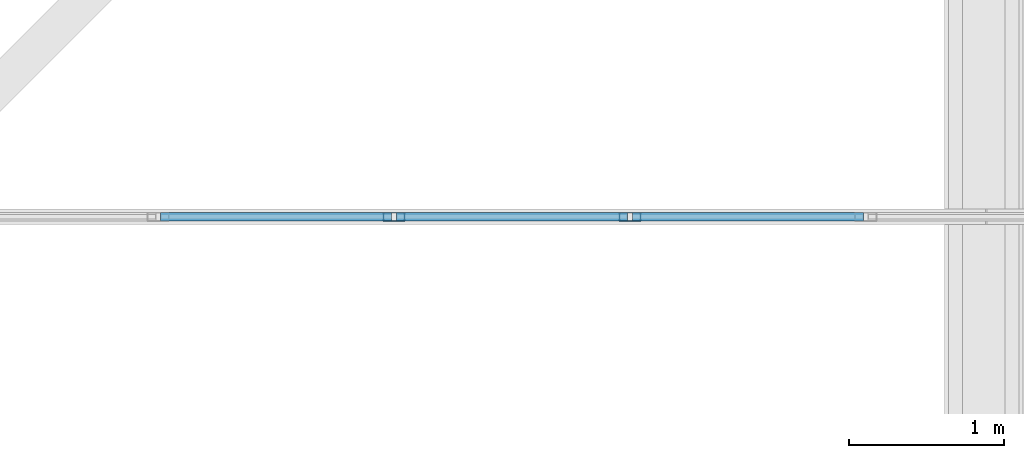
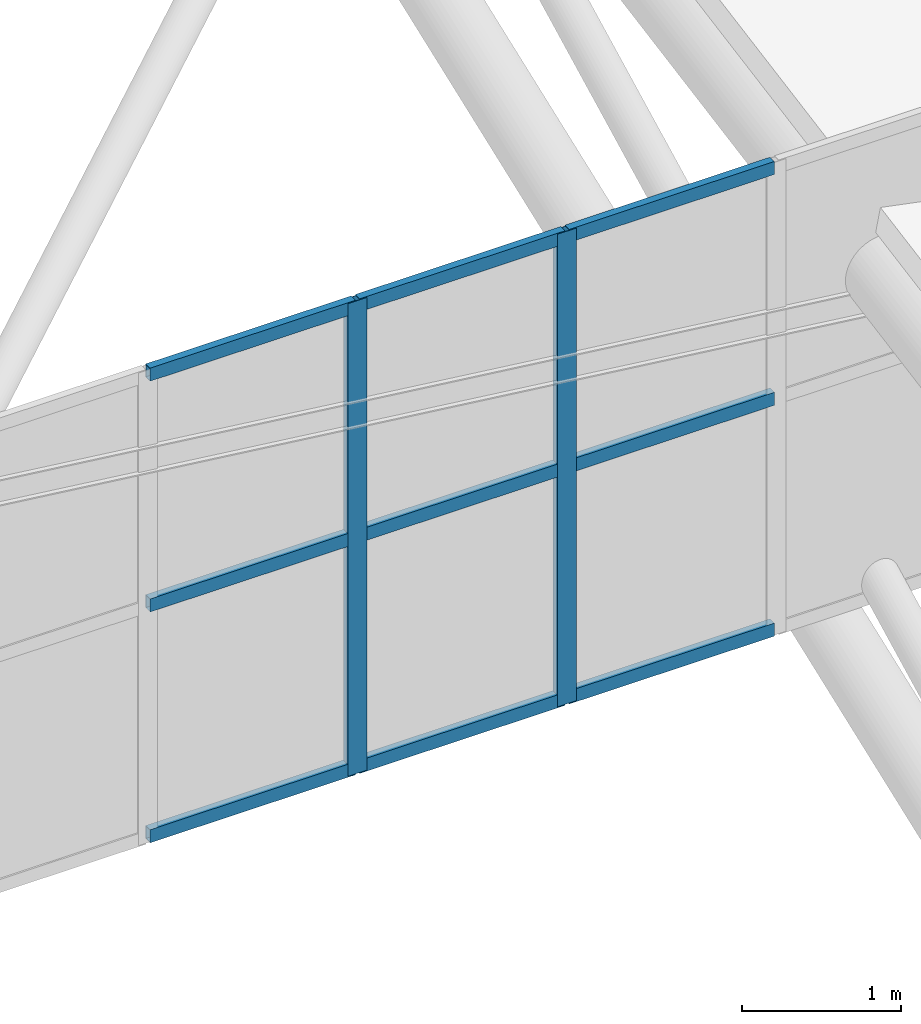
# One storey, part 117 of 397: 11 members, 1 element without a shape of its own.
"""IFC4 building model written with IfcOpenShell, lengths in metres."""

import ifcopenshell
import ifcopenshell.guid

model = None  # the IFC model being written
_history = None  # IfcOwnerHistory: only IFC2X3 demands one
_inside = {}  # id of a spatial element -> (the spatial element, [elements in it])
_under = {}  # id of a project, library or spatial element -> (it, [spatial elements below it])
_declared = {}  # id of a project -> (the project, [libraries it declares])
_typed = {}  # id of a type object -> (the type object, [elements of that type])
_made_of = {}  # id of a material, layer set ... -> (it, [elements and type objects made of it])


def new_model(schema):
    """Start an empty IFC model of exactly this schema.

    Asked for "IFC4X3", IfcOpenShell would pick the latest addendum, in which some entities
    have other attributes; the version numbers below select the first issue.
    IFC2X3 requires an IfcOwnerHistory on every rooted entity: one is made here for all.
    """
    global model, _history
    if schema == "IFC4X3":
        model = ifcopenshell.file(schema_version=(4, 3, 0, 0))
    else:
        model = ifcopenshell.file(schema=schema)
    _inside.clear()
    _under.clear()
    _declared.clear()
    _typed.clear()
    _made_of.clear()
    _history = None
    if model.schema == "IFC2X3":
        org = make("IfcOrganization", Name="unknown")
        user = make(
            "IfcPersonAndOrganization",
            ThePerson=make("IfcPerson", FamilyName="unknown"),
            TheOrganization=org,
        )
        app = make(
            "IfcApplication",
            ApplicationDeveloper=org,
            Version="unknown",
            ApplicationFullName="unknown",
            ApplicationIdentifier="unknown",
        )
        _history = make(
            "IfcOwnerHistory",
            OwningUser=user,
            OwningApplication=app,
            ChangeAction="ADDED",
            CreationDate=0,
        )
    return model


def make(cls, **values):
    """One entity of the class cls with the attributes given. An attribute that is None is left unset."""
    return model.create_entity(
        cls, **{name: value for name, value in values.items() if value is not None}
    )


def rooted(cls, **values):
    """An entity with a GlobalId (a new one), such as an element, a storey or a relation."""
    return make(cls, GlobalId=ifcopenshell.guid.new(), OwnerHistory=_history, **values)


def si_unit(unit_type, name, prefix=None):
    """IfcSIUnit, for example si_unit("LENGTHUNIT", "METRE", prefix="MILLI")."""
    return make("IfcSIUnit", UnitType=unit_type, Prefix=prefix, Name=name)


def assignment(units):
    """IfcUnitAssignment: the units of a project."""
    return None if units is None else make("IfcUnitAssignment", Units=units)


def point(xyz):
    """IfcCartesianPoint."""
    return None if xyz is None else make("IfcCartesianPoint", Coordinates=xyz)


def direction(xyz):
    """IfcDirection."""
    return None if xyz is None else make("IfcDirection", DirectionRatios=xyz)


def frame(location, z_axis=None, x_axis=None):
    """IfcAxis2Placement3D, a coordinate frame: its origin and axes. An axis left out is left unset."""
    return make(
        "IfcAxis2Placement3D",
        Location=point(location),
        Axis=direction(z_axis),
        RefDirection=direction(x_axis),
    )


def frame_2d(location, x_axis=None):
    """IfcAxis2Placement2D, a coordinate frame in the plane: its origin and x axis."""
    return make(
        "IfcAxis2Placement2D", Location=point(location), RefDirection=direction(x_axis)
    )


def origin():
    """The frame at (0, 0, 0) with its axes left unset."""
    return frame((0.0, 0.0, 0.0))


def origin_2d():
    """The frame at (0, 0) in the plane with its x axis left unset."""
    return frame_2d((0.0, 0.0))


def place(relative_to, where):
    """IfcLocalPlacement: puts the frame where relative to a parent placement (None: the world)."""
    return make(
        "IfcLocalPlacement", PlacementRelTo=relative_to, RelativePlacement=where
    )


def context(
    kind, dimensions, precision=None, world=None, true_north=None, identifier=None
):
    """IfcGeometricRepresentationContext, for example the 3D "Model" context."""
    return make(
        "IfcGeometricRepresentationContext",
        ContextIdentifier=identifier,
        ContextType=kind,
        CoordinateSpaceDimension=dimensions,
        Precision=precision,
        WorldCoordinateSystem=world,
        TrueNorth=true_north,
    )


def subcontext(parent, identifier, kind, view, scale=None):
    """IfcGeometricRepresentationSubContext, for example "Body" below "Model"."""
    return make(
        "IfcGeometricRepresentationSubContext",
        ContextIdentifier=identifier,
        ContextType=kind,
        ParentContext=parent,
        TargetScale=scale,
        TargetView=view,
    )


def project(units=None, contexts=None):
    """IfcProject with its units and contexts."""
    return rooted(
        "IfcProject",
        Name="project",
        RepresentationContexts=contexts,
        UnitsInContext=assignment(units),
    )


def spatial(cls, under=None, at=None, **own):
    """A site, building, storey or space (cls), placed at a placement, below another one or the project."""
    s = rooted(cls, ObjectPlacement=at, **own)
    if under is not None:
        _under.setdefault(under.id(), (under, []))[1].append(s)
    return s


def profile(cls, at=None, kind="AREA", **sizes):
    """A parametric profile (cls). Its sizes go by their IFC names, for example OverallWidth=200.0."""
    return make(cls, ProfileType=kind, Position=at, **sizes)


def hollow_rectangle(**sizes):
    """IfcRectangleHollowProfileDef."""
    return profile("IfcRectangleHollowProfileDef", **sizes)


def extrude(swept, where, along, depth):
    """IfcExtrudedAreaSolid: the profile swept, set in the frame where, extruded along a direction by depth."""
    return make(
        "IfcExtrudedAreaSolid",
        SweptArea=swept,
        Position=where,
        ExtrudedDirection=direction(along),
        Depth=depth,
    )


def shape(context_of_items, identifier, shape_type, items):
    """IfcShapeRepresentation: the items that make up one representation, for example the "Body"."""
    return make(
        "IfcShapeRepresentation",
        ContextOfItems=context_of_items,
        RepresentationIdentifier=identifier,
        RepresentationType=shape_type,
        Items=items,
    )


def material(Name=None, Category=None):
    """IfcMaterial."""
    return make("IfcMaterial", Name=Name, Category=Category)


def material_profile(
    of_material, cross_section, Name=None, Category=None, Priority=None
):
    """IfcMaterialProfile: a cross section and its material."""
    return make(
        "IfcMaterialProfile",
        Name=Name,
        Material=of_material,
        Profile=cross_section,
        Priority=Priority,
        Category=Category,
    )


def profile_set(profiles, Name=None, composite=None):
    """IfcMaterialProfileSet."""
    return make(
        "IfcMaterialProfileSet",
        Name=Name,
        MaterialProfiles=profiles,
        CompositeProfile=composite,
    )


def made_of(thing, what):
    """Note that an element or type object is made of a material, layer set ...; save() writes the relation."""
    if what is not None:
        _made_of.setdefault(what.id(), (what, []))[1].append(thing)
    return thing


def type_object(cls, material=None, **own):
    """A type object (cls), such as IfcWallType, which elements share."""
    return made_of(rooted(cls, **own), material)


def element(
    cls,
    number,
    at=None,
    inside=None,
    cuts=None,
    type_object=None,
    material=None,
    context=None,
    identifier="Body",
    shape_type=None,
    held_by="IfcProductDefinitionShape",
    body=None,
    shapes=None,
    **own,
):
    """One element of the class cls, such as IfcWall. Its Tag is "e" and its number.

    at: its placement. inside: the storey or other place that contains it. cuts: it is an
    opening in that element (IfcRelVoidsElement). A single representation is given by context,
    identifier, shape_type and body (its items); several are given by shapes. held_by: the class
    of the entity that holds the representations. save() writes the other relations.
    """
    e = rooted(cls, Tag="e%d" % number, ObjectPlacement=at, **own)
    if body is not None:
        shapes = [shape(context, identifier, shape_type, body)]
    if shapes is not None:
        e.Representation = make(held_by, Representations=shapes)
    if inside is not None:
        _inside.setdefault(inside.id(), (inside, []))[1].append(e)
    if cuts is not None:
        rooted(
            "IfcRelVoidsElement", RelatingBuildingElement=cuts, RelatedOpeningElement=e
        )
    if type_object is not None:
        _typed.setdefault(type_object.id(), (type_object, []))[1].append(e)
    return made_of(e, material)


def aggregate(whole, parts):
    """IfcRelAggregates: a whole, such as a stair, and the parts it consists of."""
    return rooted("IfcRelAggregates", RelatingObject=whole, RelatedObjects=parts)


def save(model, path):
    """Write the relations noted so far, then the file.

    IfcRelAggregates (storeys below a building ...), IfcRelContainedInSpatialStructure (elements
    in a storey), IfcRelDefinesByType, IfcRelAssociatesMaterial and IfcRelDeclares: one each for
    every whole, place, type object, material and project.
    """
    for whole, parts in _under.values():
        aggregate(whole, parts)
    for where, things in _inside.values():
        rooted(
            "IfcRelContainedInSpatialStructure",
            RelatedElements=things,
            RelatingStructure=where,
        )
    for kind, things in _typed.values():
        rooted("IfcRelDefinesByType", RelatedObjects=things, RelatingType=kind)
    for what, things in _made_of.values():
        rooted("IfcRelAssociatesMaterial", RelatedObjects=things, RelatingMaterial=what)
    for by, libraries in _declared.values():
        rooted("IfcRelDeclares", RelatingContext=by, RelatedDefinitions=libraries)
    model.write(path)


model = new_model("IFC4")

# Units and contexts
model_context = context("Model", 3, precision=1e-05, world=origin(), true_north=direction((0.0, 1.0)))
body_context = subcontext(model_context, "Body", "Model", "MODEL_VIEW")
ifc_project = project(units=[si_unit("LENGTHUNIT", "METRE"), si_unit("AREAUNIT", "SQUARE_METRE"), si_unit("VOLUMEUNIT", "CUBIC_METRE"), si_unit("PLANEANGLEUNIT", "RADIAN"), si_unit("MASSUNIT", "GRAM", prefix="KILO")], contexts=[model_context])

# Site, building, storey
site_placement = place(None, origin())
site = spatial("IfcSite", under=ifc_project, at=site_placement, CompositionType="ELEMENT")
building_placement = place(site_placement, origin())
building = spatial("IfcBuilding", under=site, at=building_placement, Name="Qandorah Velis Arena", CompositionType="ELEMENT")
storey_placement = place(building_placement, frame((0.0, 0.0, 27.5)))
storey = spatial("IfcBuildingStorey", under=building, at=storey_placement, Name="RF", CompositionType="ELEMENT", Elevation=27.5)

# Curtain wall, members
ifc_material_1 = material(Name="Solar-control low-E double glazing", Category="glass")
curtain_wall_type = type_object("IfcCurtainWallType", Name="ARC-CW-SYS24", PredefinedType="USERDEFINED", material=ifc_material_1)
curtain_wall_placement = place(storey_placement, origin())
curtain_wall = element("IfcCurtainWall", 1, at=curtain_wall_placement, inside=storey, type_object=curtain_wall_type, Name="Unitised curtain wall MON-3-6", ObjectType="UNITISED CURTAIN WALL", PredefinedType="USERDEFINED")
ifc_material_2 = material(Name="Champagne-bronze anodized aluminium 6063-T6", Category="aluminium")
ifc_material_profile_1 = material_profile(ifc_material_2, hollow_rectangle(XDim=0.054931640625, YDim=0.139892578125, WallThickness=0.0029296875, at=origin_2d()), Name="ALU MULLION 55x140")
ifc_profile_set_1 = profile_set([ifc_material_profile_1], Name="Champagne-bronze anodized aluminium 6063-T6")
member_type_1 = type_object("IfcMemberType", Name="ARC-CWM-140", PredefinedType="MULLION", material=ifc_profile_set_1)
member_1_placement = place(storey_placement, frame((96.994384765625, 21.60009765625, 3.625732421875), z_axis=(0.0, 0.0, 1.0), x_axis=(0.0, 1.0, 0.0)))
member_1 = element("IfcMember", 2, at=member_1_placement, type_object=member_type_1, Name="CW24 mullion 3", PredefinedType="MULLION", context=body_context, shape_type="SweptSolid", body=[
    extrude(hollow_rectangle(XDim=0.054931640625, YDim=0.139892578125, WallThickness=0.0029296875, at=origin_2d()), origin(), (0.0, 0.0, 1.0), 3.630126953125),
])
member_2_placement = place(storey_placement, frame((98.5166015625, 21.60009765625, 3.625732421875), z_axis=(0.0, 0.0, 1.0), x_axis=(0.0, 1.0, 0.0)))
member_2 = element("IfcMember", 3, at=member_2_placement, type_object=member_type_1, Name="CW24 mullion 4", PredefinedType="MULLION", context=body_context, shape_type="SweptSolid", body=[
    extrude(hollow_rectangle(XDim=0.054931640625, YDim=0.139892578125, WallThickness=0.0029296875, at=origin_2d()), origin(), (0.0, 0.0, 1.0), 3.630126953125),
])
ifc_material_profile_2 = material_profile(ifc_material_2, hollow_rectangle(XDim=0.054931640625, YDim=0.10009765625, WallThickness=0.0029296875, at=origin_2d()), Name="ALU TRANSOM 55x100")
ifc_profile_set_2 = profile_set([ifc_material_profile_2], Name="Champagne-bronze anodized aluminium 6063-T6")
member_type_2 = type_object("IfcMemberType", Name="ARC-CWT-100", PredefinedType="USERDEFINED", material=ifc_profile_set_2)
member_3_placement = place(storey_placement, frame((95.48779296875, 21.60009765625, 3.668212890625), z_axis=(1.0, 0.0, 0.0), x_axis=(0.0, 1.0, 0.0)))
member_3 = element("IfcMember", 4, at=member_3_placement, type_object=member_type_2, Name="CW24 transom 2.1", ObjectType="TRANSOM", PredefinedType="USERDEFINED", context=body_context, shape_type="SweptSolid", body=[
    extrude(hollow_rectangle(XDim=0.054931640625, YDim=0.10009765625, WallThickness=0.0029296875, at=origin_2d()), origin(), (0.0, 0.0, 1.0), 1.4912109375),
])
member_4_placement = place(storey_placement, frame((95.48779296875, 21.60009765625, 5.44091796875), z_axis=(1.0, 0.0, 0.0), x_axis=(0.0, 1.0, 0.0)))
member_4 = element("IfcMember", 5, at=member_4_placement, type_object=member_type_2, Name="CW24 transom 2.2", ObjectType="TRANSOM", PredefinedType="USERDEFINED", context=body_context, shape_type="SweptSolid", body=[
    extrude(hollow_rectangle(XDim=0.054931640625, YDim=0.10009765625, WallThickness=0.0029296875, at=origin_2d()), origin(), (0.0, 0.0, 1.0), 1.4912109375),
])
member_5_placement = place(storey_placement, frame((95.48779296875, 21.60009765625, 7.21337890625), z_axis=(1.0, 0.0, 0.0), x_axis=(0.0, 1.0, 0.0)))
member_5 = element("IfcMember", 6, at=member_5_placement, type_object=member_type_2, Name="CW24 transom 2.3", ObjectType="TRANSOM", PredefinedType="USERDEFINED", context=body_context, shape_type="SweptSolid", body=[
    extrude(hollow_rectangle(XDim=0.054931640625, YDim=0.10009765625, WallThickness=0.0029296875, at=origin_2d()), origin(), (0.0, 0.0, 1.0), 1.4912109375),
])
member_6_placement = place(storey_placement, frame((97.010009765625, 21.60009765625, 3.668212890625), z_axis=(1.0, 0.0, 0.0), x_axis=(0.0, 1.0, 0.0)))
member_6 = element("IfcMember", 7, at=member_6_placement, type_object=member_type_2, Name="CW24 transom 3.1", ObjectType="TRANSOM", PredefinedType="USERDEFINED", context=body_context, shape_type="SweptSolid", body=[
    extrude(hollow_rectangle(XDim=0.054931640625, YDim=0.10009765625, WallThickness=0.0029296875, at=origin_2d()), origin(), (0.0, 0.0, 1.0), 1.4912109375),
])
member_7_placement = place(storey_placement, frame((97.010009765625, 21.60009765625, 5.44091796875), z_axis=(1.0, 0.0, 0.0), x_axis=(0.0, 1.0, 0.0)))
member_7 = element("IfcMember", 8, at=member_7_placement, type_object=member_type_2, Name="CW24 transom 3.2", ObjectType="TRANSOM", PredefinedType="USERDEFINED", context=body_context, shape_type="SweptSolid", body=[
    extrude(hollow_rectangle(XDim=0.054931640625, YDim=0.10009765625, WallThickness=0.0029296875, at=origin_2d()), origin(), (0.0, 0.0, 1.0), 1.4912109375),
])
member_8_placement = place(storey_placement, frame((97.010009765625, 21.60009765625, 7.21337890625), z_axis=(1.0, 0.0, 0.0), x_axis=(0.0, 1.0, 0.0)))
member_8 = element("IfcMember", 9, at=member_8_placement, type_object=member_type_2, Name="CW24 transom 3.3", ObjectType="TRANSOM", PredefinedType="USERDEFINED", context=body_context, shape_type="SweptSolid", body=[
    extrude(hollow_rectangle(XDim=0.054931640625, YDim=0.10009765625, WallThickness=0.0029296875, at=origin_2d()), origin(), (0.0, 0.0, 1.0), 1.4912109375),
])
member_9_placement = place(storey_placement, frame((98.5322265625, 21.60009765625, 3.668212890625), z_axis=(1.0, 0.0, 0.0), x_axis=(0.0, 1.0, 0.0)))
member_9 = element("IfcMember", 10, at=member_9_placement, type_object=member_type_2, Name="CW24 transom 4.1", ObjectType="TRANSOM", PredefinedType="USERDEFINED", context=body_context, shape_type="SweptSolid", body=[
    extrude(hollow_rectangle(XDim=0.054931640625, YDim=0.10009765625, WallThickness=0.0029296875, at=origin_2d()), origin(), (0.0, 0.0, 1.0), 1.4912109375),
])
member_10_placement = place(storey_placement, frame((98.5322265625, 21.60009765625, 5.44091796875), z_axis=(1.0, 0.0, 0.0), x_axis=(0.0, 1.0, 0.0)))
member_10 = element("IfcMember", 11, at=member_10_placement, type_object=member_type_2, Name="CW24 transom 4.2", ObjectType="TRANSOM", PredefinedType="USERDEFINED", context=body_context, shape_type="SweptSolid", body=[
    extrude(hollow_rectangle(XDim=0.054931640625, YDim=0.10009765625, WallThickness=0.0029296875, at=origin_2d()), origin(), (0.0, 0.0, 1.0), 1.4912109375),
])
member_11_placement = place(storey_placement, frame((98.5322265625, 21.60009765625, 7.21337890625), z_axis=(1.0, 0.0, 0.0), x_axis=(0.0, 1.0, 0.0)))
member_11 = element("IfcMember", 12, at=member_11_placement, type_object=member_type_2, Name="CW24 transom 4.3", ObjectType="TRANSOM", PredefinedType="USERDEFINED", context=body_context, shape_type="SweptSolid", body=[
    extrude(hollow_rectangle(XDim=0.054931640625, YDim=0.10009765625, WallThickness=0.0029296875, at=origin_2d()), origin(), (0.0, 0.0, 1.0), 1.4912109375),
])
aggregate(curtain_wall, [member_1, member_2, member_3, member_4, member_5, member_6, member_7, member_8, member_9, member_10, member_11])

save(model, "model.ifc")
